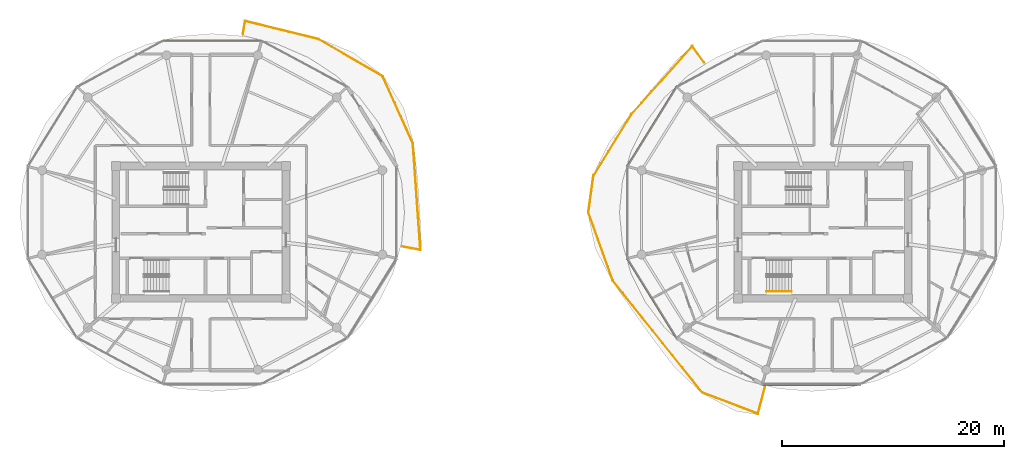
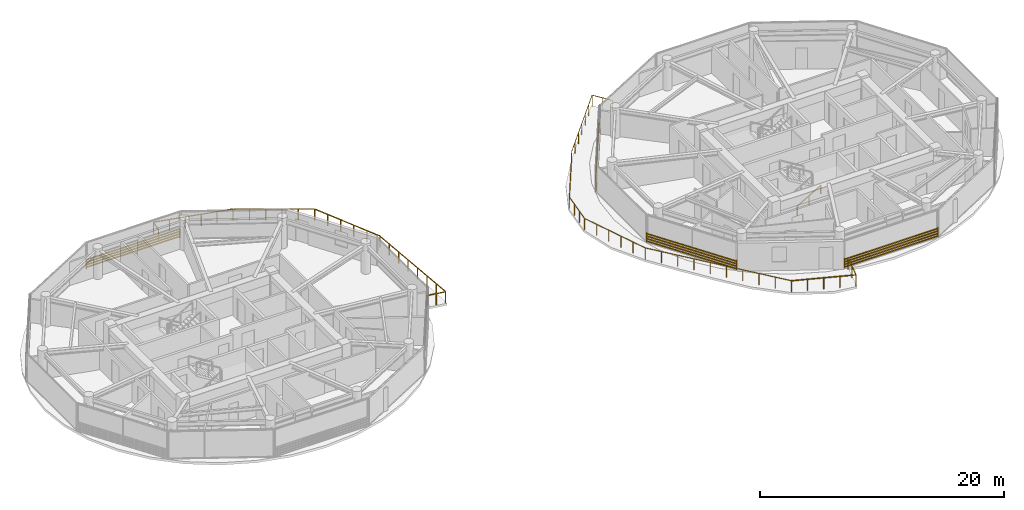
# One storey, part 21 of 22: 4 railings, 4 shading devices.
"""IFC4 building model written with IfcOpenShell, lengths in metres."""

from ifc_helpers import new_model, si_unit, direction, frame, origin, origin_2d, place, context, subcontext, project, spatial, rectangle, extrude, source, transform, mapped, material, type_object, type_shapes, element, save


model = new_model("IFC4")

# Units and contexts
model_context = context("Model", 3, precision=1e-05, world=origin(), true_north=direction((0.0, 1.0)))
body_context = subcontext(model_context, "Body", "Model", "MODEL_VIEW")
ifc_project = project(units=[si_unit("LENGTHUNIT", "METRE"), si_unit("AREAUNIT", "SQUARE_METRE"), si_unit("VOLUMEUNIT", "CUBIC_METRE"), si_unit("PLANEANGLEUNIT", "RADIAN"), si_unit("MASSUNIT", "GRAM", prefix="KILO")], contexts=[model_context])

# Site, building, storey
site_placement = place(None, origin())
site = spatial("IfcSite", under=ifc_project, at=site_placement, CompositionType="ELEMENT")
building_placement = place(site_placement, origin())
building = spatial("IfcBuilding", under=site, at=building_placement, Name="Norrkilde Senior Care Towers", CompositionType="ELEMENT")
storey_placement = place(building_placement, frame((0.0, 0.0, 137.35009765625)))
storey = spatial("IfcBuildingStorey", under=building, at=storey_placement, Name="L42", CompositionType="ELEMENT", Elevation=137.35009765625)

# Railings
ifc_material_1 = material(Name="Anodised Aluminium", Category="aluminium")
railing_type_1 = type_object("IfcRailingType", Name="Balcony Swirl Ribbon Guardrail 1150", PredefinedType="GUARDRAIL", material=ifc_material_1)
railing_1_placement = place(storey_placement, frame((17.120849609375, -14.4306640625, 0.0)))
element("IfcRailing", 1, at=railing_1_placement, inside=storey, type_object=railing_type_1, Name="L42 Perimeter Safety Guard 01", PredefinedType="GUARDRAIL", context=body_context, shape_type="SweptSolid", body=[
    extrude(rectangle(XDim=0.048095703125, YDim=0.048095703125, at=origin_2d()), frame((0.0, 0.0, 1.1259765625), z_axis=(-0.623960223116, 0.781456102394, 0.0), x_axis=(-0.781456102394, -0.623960223116, 0.0)), (0.0, 0.0, 1.0), 12.8486328125),
    extrude(rectangle(XDim=0.048095703125, YDim=0.048095703125, at=origin_2d()), frame((-8.056396484375, 10.111083984375, 1.1259765625), z_axis=(-0.338202352854, 0.94107341293, 0.0), x_axis=(-0.94107341293, -0.338202352854, 0.0)), (0.0, 0.0, 1.0), 6.43896484375),
    extrude(rectangle(XDim=0.048095703125, YDim=0.048095703125, at=origin_2d()), frame((-10.2421875, 16.24951171875, 1.1259765625), z_axis=(0.137278884746, 0.990532436522, 0.0), x_axis=(-0.990532436522, 0.137278884746, 0.0)), (0.0, 0.0, 1.0), 3.227783203125),
    extrude(rectangle(XDim=0.048095703125, YDim=0.048095703125, at=origin_2d()), frame((-9.77197265625, 19.522216796875, 1.1259765625), z_axis=(0.524669241628, 0.851306165189, 0.0), x_axis=(-0.851306165189, 0.524669241628, 0.0)), (0.0, 0.0, 1.0), 6.420166015625),
    extrude(rectangle(XDim=0.048095703125, YDim=0.048095703125, at=origin_2d()), frame((-6.354736328125, 25.052978515625, 1.1259765625), z_axis=(0.666155173179, 0.74581317047, 0.0), x_axis=(-0.74581317047, 0.666155173179, 0.0)), (0.0, 0.0, 1.0), 8.165771484375),
    extrude(rectangle(XDim=0.048095703125, YDim=0.048095703125, at=origin_2d()), frame((-0.8642578125, 31.140380859375, 1.1259765625), z_axis=(0.579525763973, -0.814953918262, 0.0), x_axis=(0.814953918262, 0.579525763973, 0.0)), (0.0, 0.0, 1.0), 1.78125),
    extrude(rectangle(XDim=0.0419921875, YDim=0.0419921875, at=origin_2d()), origin(), (0.0, 0.0, 1.0), 1.099853515625),
    extrude(rectangle(XDim=0.0419921875, YDim=0.0419921875, at=origin_2d()), frame((-0.8935546875, 1.119140625, 0.0)), (0.0, 0.0, 1.0), 1.099853515625),
    extrude(rectangle(XDim=0.0419921875, YDim=0.0419921875, at=origin_2d()), frame((-1.787109375, 2.23828125, 0.0)), (0.0, 0.0, 1.0), 1.099853515625),
    extrude(rectangle(XDim=0.0419921875, YDim=0.0419921875, at=origin_2d()), frame((-2.680908203125, 3.357421875, 0.0)), (0.0, 0.0, 1.0), 1.099853515625),
    extrude(rectangle(XDim=0.0419921875, YDim=0.0419921875, at=origin_2d()), frame((-3.574462890625, 4.4765625, 0.0)), (0.0, 0.0, 1.0), 1.099853515625),
    extrude(rectangle(XDim=0.0419921875, YDim=0.0419921875, at=origin_2d()), frame((-4.468017578125, 5.595947265625, 0.0)), (0.0, 0.0, 1.0), 1.099853515625),
    extrude(rectangle(XDim=0.0419921875, YDim=0.0419921875, at=origin_2d()), frame((-5.361572265625, 6.715087890625, 0.0)), (0.0, 0.0, 1.0), 1.099853515625),
    extrude(rectangle(XDim=0.0419921875, YDim=0.0419921875, at=origin_2d()), frame((-6.25537109375, 7.834228515625, 0.0)), (0.0, 0.0, 1.0), 1.099853515625),
    extrude(rectangle(XDim=0.0419921875, YDim=0.0419921875, at=origin_2d()), frame((-7.14892578125, 8.953369140625, 0.0)), (0.0, 0.0, 1.0), 1.099853515625),
    extrude(rectangle(XDim=0.0419921875, YDim=0.0419921875, at=origin_2d()), frame((-8.04248046875, 10.072509765625, 0.0)), (0.0, 0.0, 1.0), 1.099853515625),
    extrude(rectangle(XDim=0.0419921875, YDim=0.0419921875, at=origin_2d()), frame((-8.483642578125, 11.2998046875, 0.0)), (0.0, 0.0, 1.0), 1.099853515625),
    extrude(rectangle(XDim=0.0419921875, YDim=0.0419921875, at=origin_2d()), frame((-8.924560546875, 12.527099609375, 0.0)), (0.0, 0.0, 1.0), 1.099853515625),
    extrude(rectangle(XDim=0.0419921875, YDim=0.0419921875, at=origin_2d()), frame((-9.36572265625, 13.75439453125, 0.0)), (0.0, 0.0, 1.0), 1.099853515625),
    extrude(rectangle(XDim=0.0419921875, YDim=0.0419921875, at=origin_2d()), frame((-9.806640625, 14.981689453125, 0.0)), (0.0, 0.0, 1.0), 1.099853515625),
    extrude(rectangle(XDim=0.0419921875, YDim=0.0419921875, at=origin_2d()), frame((-10.247802734375, 16.208984375, 0.0)), (0.0, 0.0, 1.0), 1.099853515625),
    extrude(rectangle(XDim=0.0419921875, YDim=0.0419921875, at=origin_2d()), frame((-10.096435546875, 17.3017578125, 0.0)), (0.0, 0.0, 1.0), 1.099853515625),
    extrude(rectangle(XDim=0.0419921875, YDim=0.0419921875, at=origin_2d()), frame((-9.94482421875, 18.39453125, 0.0)), (0.0, 0.0, 1.0), 1.099853515625),
    extrude(rectangle(XDim=0.0419921875, YDim=0.0419921875, at=origin_2d()), frame((-9.79345703125, 19.4873046875, 0.0)), (0.0, 0.0, 1.0), 1.099853515625),
    extrude(rectangle(XDim=0.0419921875, YDim=0.0419921875, at=origin_2d()), frame((-9.111083984375, 20.59423828125, 0.0)), (0.0, 0.0, 1.0), 1.099853515625),
    extrude(rectangle(XDim=0.0419921875, YDim=0.0419921875, at=origin_2d()), frame((-8.428955078125, 21.701416015625, 0.0)), (0.0, 0.0, 1.0), 1.099853515625),
    extrude(rectangle(XDim=0.0419921875, YDim=0.0419921875, at=origin_2d()), frame((-7.74658203125, 22.808349609375, 0.0)), (0.0, 0.0, 1.0), 1.099853515625),
    extrude(rectangle(XDim=0.0419921875, YDim=0.0419921875, at=origin_2d()), frame((-7.064453125, 23.91552734375, 0.0)), (0.0, 0.0, 1.0), 1.099853515625),
    extrude(rectangle(XDim=0.0419921875, YDim=0.0419921875, at=origin_2d()), frame((-6.382080078125, 25.0224609375, 0.0)), (0.0, 0.0, 1.0), 1.099853515625),
    extrude(rectangle(XDim=0.0419921875, YDim=0.0419921875, at=origin_2d()), frame((-5.46630859375, 26.047607421875, 0.0)), (0.0, 0.0, 1.0), 1.099853515625),
    extrude(rectangle(XDim=0.0419921875, YDim=0.0419921875, at=origin_2d()), frame((-4.55078125, 27.07275390625, 0.0)), (0.0, 0.0, 1.0), 1.099853515625),
    extrude(rectangle(XDim=0.0419921875, YDim=0.0419921875, at=origin_2d()), frame((-3.635009765625, 28.09814453125, 0.0)), (0.0, 0.0, 1.0), 1.099853515625),
    extrude(rectangle(XDim=0.0419921875, YDim=0.0419921875, at=origin_2d()), frame((-2.71923828125, 29.123291015625, 0.0)), (0.0, 0.0, 1.0), 1.099853515625),
    extrude(rectangle(XDim=0.0419921875, YDim=0.0419921875, at=origin_2d()), frame((-1.8037109375, 30.1484375, 0.0)), (0.0, 0.0, 1.0), 1.099853515625),
    extrude(rectangle(XDim=0.0419921875, YDim=0.0419921875, at=origin_2d()), frame((-0.887939453125, 31.173583984375, 0.0)), (0.0, 0.0, 1.0), 1.099853515625),
    extrude(rectangle(XDim=0.0419921875, YDim=0.0419921875, at=origin_2d()), frame((-0.35986328125, 30.43115234375, 0.0)), (0.0, 0.0, 1.0), 1.099853515625),
    extrude(rectangle(XDim=0.0419921875, YDim=0.0419921875, at=origin_2d()), frame((0.16796875, 29.688720703125, 0.0)), (0.0, 0.0, 1.0), 1.099853515625),
])
railing_2_placement = place(storey_placement, frame((22.75537109375, -13.96240234375, 0.0)))
element("IfcRailing", 2, at=railing_2_placement, inside=storey, type_object=railing_type_1, Name="L42 Perimeter Safety Guard 02", PredefinedType="GUARDRAIL", context=body_context, shape_type="SweptSolid", body=[
    extrude(rectangle(XDim=0.048095703125, YDim=0.048095703125, at=origin_2d()), frame((0.0, 0.0, 1.1259765625), z_axis=(-0.254273284135, -0.967132409226, 0.0), x_axis=(0.967132409226, -0.254273284135, 0.0)), (0.0, 0.0, 1.0), 2.4169921875),
    extrude(rectangle(XDim=0.048095703125, YDim=0.048095703125, at=origin_2d()), frame((-0.6630859375, -2.362548828125, 1.1259765625), z_axis=(-0.934453823007, 0.356084333646, 0.0), x_axis=(-0.356084333646, -0.934453823007, 0.0)), (0.0, 0.0, 1.0), 5.320068359375),
    extrude(rectangle(XDim=0.0419921875, YDim=0.0419921875, at=origin_2d()), origin(), (0.0, 0.0, 1.0), 1.099853515625),
    extrude(rectangle(XDim=0.0419921875, YDim=0.0419921875, at=origin_2d()), frame((-0.3125, -1.1884765625, 0.0)), (0.0, 0.0, 1.0), 1.099853515625),
    extrude(rectangle(XDim=0.0419921875, YDim=0.0419921875, at=origin_2d()), frame((-0.625, -2.377197265625, 0.0)), (0.0, 0.0, 1.0), 1.099853515625),
    extrude(rectangle(XDim=0.0419921875, YDim=0.0419921875, at=origin_2d()), frame((-1.87744140625, -1.89990234375, 0.0)), (0.0, 0.0, 1.0), 1.099853515625),
    extrude(rectangle(XDim=0.0419921875, YDim=0.0419921875, at=origin_2d()), frame((-3.1298828125, -1.4228515625, 0.0)), (0.0, 0.0, 1.0), 1.099853515625),
    extrude(rectangle(XDim=0.0419921875, YDim=0.0419921875, at=origin_2d()), frame((-4.382080078125, -0.945556640625, 0.0)), (0.0, 0.0, 1.0), 1.099853515625),
    extrude(rectangle(XDim=0.0419921875, YDim=0.0419921875, at=origin_2d()), frame((-5.634521484375, -0.46826171875, 0.0)), (0.0, 0.0, 1.0), 1.099853515625),
])
railing_3_placement = place(storey_placement, frame((-24.212890625, 17.8310546875, 0.0)))
element("IfcRailing", 3, at=railing_3_placement, inside=storey, type_object=railing_type_1, Name="L42 Perimeter Safety Guard 03", PredefinedType="GUARDRAIL", context=body_context, shape_type="SweptSolid", body=[
    extrude(rectangle(XDim=0.048095703125, YDim=0.048095703125, at=origin_2d()), frame((0.0, 0.0, 1.1259765625), z_axis=(0.164666341968, 0.986349327481, 0.0), x_axis=(-0.986349327481, 0.164666341968, 0.0)), (0.0, 0.0, 1.0), 1.143798828125),
    extrude(rectangle(XDim=0.048095703125, YDim=0.048095703125, at=origin_2d()), frame((0.23486328125, 1.15869140625, 1.1259765625), z_axis=(0.970902772459, -0.23947402037, 0.0), x_axis=(0.23947402037, 0.970902772459, 0.0)), (0.0, 0.0, 1.0), 6.713134765625),
    extrude(rectangle(XDim=0.048095703125, YDim=0.048095703125, at=origin_2d()), frame((6.82763671875, -0.479248046875, 1.1259765625), z_axis=(0.864909958727, -0.501927049774, 0.0), x_axis=(0.501927049774, 0.864909958727, 0.0)), (0.0, 0.0, 1.0), 6.614501953125),
    extrude(rectangle(XDim=0.048095703125, YDim=0.048095703125, at=origin_2d()), frame((12.600830078125, -3.857177734375, 1.1259765625), z_axis=(0.411114390221, -0.911583763652, 0.0), x_axis=(0.911583763652, 0.411114390221, 0.0)), (0.0, 0.0, 1.0), 6.51123046875),
    extrude(rectangle(XDim=0.048095703125, YDim=0.048095703125, at=origin_2d()), frame((15.29736328125, -9.87060546875, 1.1259765625), z_axis=(0.071055951173, -0.997472331347, 0.0), x_axis=(0.997472331347, 0.071055951173, 0.0)), (0.0, 0.0, 1.0), 9.542236328125),
    extrude(rectangle(XDim=0.048095703125, YDim=0.048095703125, at=origin_2d()), frame((15.93798828125, -19.422119140625, 1.1259765625), z_axis=(-0.983434156163, 0.181265717917, 0.0), x_axis=(-0.181265717917, -0.983434156163, 0.0)), (0.0, 0.0, 1.0), 1.58349609375),
    extrude(rectangle(XDim=0.0419921875, YDim=0.0419921875, at=origin_2d()), origin(), (0.0, 0.0, 1.0), 1.099853515625),
    extrude(rectangle(XDim=0.0419921875, YDim=0.0419921875, at=origin_2d()), frame((0.195068359375, 1.16845703125, 0.0)), (0.0, 0.0, 1.0), 1.099853515625),
    extrude(rectangle(XDim=0.0419921875, YDim=0.0419921875, at=origin_2d()), frame((1.514404296875, 0.843017578125, 0.0)), (0.0, 0.0, 1.0), 1.099853515625),
    extrude(rectangle(XDim=0.0419921875, YDim=0.0419921875, at=origin_2d()), frame((2.833984375, 0.517578125, 0.0)), (0.0, 0.0, 1.0), 1.099853515625),
    extrude(rectangle(XDim=0.0419921875, YDim=0.0419921875, at=origin_2d()), frame((4.1533203125, 0.192138671875, 0.0)), (0.0, 0.0, 1.0), 1.099853515625),
    extrude(rectangle(XDim=0.0419921875, YDim=0.0419921875, at=origin_2d()), frame((5.472900390625, -0.13330078125, 0.0)), (0.0, 0.0, 1.0), 1.099853515625),
    extrude(rectangle(XDim=0.0419921875, YDim=0.0419921875, at=origin_2d()), frame((6.792236328125, -0.458740234375, 0.0)), (0.0, 0.0, 1.0), 1.099853515625),
    extrude(rectangle(XDim=0.0419921875, YDim=0.0419921875, at=origin_2d()), frame((7.95068359375, -1.130859375, 0.0)), (0.0, 0.0, 1.0), 1.099853515625),
    extrude(rectangle(XDim=0.0419921875, YDim=0.0419921875, at=origin_2d()), frame((9.10888671875, -1.80322265625, 0.0)), (0.0, 0.0, 1.0), 1.099853515625),
    extrude(rectangle(XDim=0.0419921875, YDim=0.0419921875, at=origin_2d()), frame((10.267333984375, -2.475341796875, 0.0)), (0.0, 0.0, 1.0), 1.099853515625),
    extrude(rectangle(XDim=0.0419921875, YDim=0.0419921875, at=origin_2d()), frame((11.425537109375, -3.147705078125, 0.0)), (0.0, 0.0, 1.0), 1.099853515625),
    extrude(rectangle(XDim=0.0419921875, YDim=0.0419921875, at=origin_2d()), frame((12.583984375, -3.81982421875, 0.0)), (0.0, 0.0, 1.0), 1.099853515625),
    extrude(rectangle(XDim=0.0419921875, YDim=0.0419921875, at=origin_2d()), frame((13.1259765625, -5.021728515625, 0.0)), (0.0, 0.0, 1.0), 1.099853515625),
    extrude(rectangle(XDim=0.0419921875, YDim=0.0419921875, at=origin_2d()), frame((13.668212890625, -6.223876953125, 0.0)), (0.0, 0.0, 1.0), 1.099853515625),
    extrude(rectangle(XDim=0.0419921875, YDim=0.0419921875, at=origin_2d()), frame((14.210205078125, -7.42578125, 0.0)), (0.0, 0.0, 1.0), 1.099853515625),
    extrude(rectangle(XDim=0.0419921875, YDim=0.0419921875, at=origin_2d()), frame((14.75244140625, -8.6279296875, 0.0)), (0.0, 0.0, 1.0), 1.099853515625),
    extrude(rectangle(XDim=0.0419921875, YDim=0.0419921875, at=origin_2d()), frame((15.29443359375, -9.829833984375, 0.0)), (0.0, 0.0, 1.0), 1.099853515625),
    extrude(rectangle(XDim=0.0419921875, YDim=0.0419921875, at=origin_2d()), frame((15.39208984375, -11.201171875, 0.0)), (0.0, 0.0, 1.0), 1.099853515625),
    extrude(rectangle(XDim=0.0419921875, YDim=0.0419921875, at=origin_2d()), frame((15.48974609375, -12.572509765625, 0.0)), (0.0, 0.0, 1.0), 1.099853515625),
    extrude(rectangle(XDim=0.0419921875, YDim=0.0419921875, at=origin_2d()), frame((15.58740234375, -13.94384765625, 0.0)), (0.0, 0.0, 1.0), 1.099853515625),
    extrude(rectangle(XDim=0.0419921875, YDim=0.0419921875, at=origin_2d()), frame((15.685302734375, -15.3154296875, 0.0)), (0.0, 0.0, 1.0), 1.099853515625),
    extrude(rectangle(XDim=0.0419921875, YDim=0.0419921875, at=origin_2d()), frame((15.782958984375, -16.686767578125, 0.0)), (0.0, 0.0, 1.0), 1.099853515625),
    extrude(rectangle(XDim=0.0419921875, YDim=0.0419921875, at=origin_2d()), frame((15.880615234375, -18.05810546875, 0.0)), (0.0, 0.0, 1.0), 1.099853515625),
    extrude(rectangle(XDim=0.0419921875, YDim=0.0419921875, at=origin_2d()), frame((15.978271484375, -19.429443359375, 0.0)), (0.0, 0.0, 1.0), 1.099853515625),
    extrude(rectangle(XDim=0.0419921875, YDim=0.0419921875, at=origin_2d()), frame((15.1796875, -19.2822265625, 0.0)), (0.0, 0.0, 1.0), 1.099853515625),
    extrude(rectangle(XDim=0.0419921875, YDim=0.0419921875, at=origin_2d()), frame((14.380859375, -19.135009765625, 0.0)), (0.0, 0.0, 1.0), 1.099853515625),
])
ifc_material_2 = material(Name="Nordic Ash Timber", Category="wood")
railing_type_2 = type_object("IfcRailingType", Name="Wall and Stair Handrail 900", PredefinedType="HANDRAIL", material=ifc_material_2)
railing_4_placement = place(storey_placement, frame((22.89990234375, -5.35009765625, 0.16943359375)))
element("IfcRailing", 4, at=railing_4_placement, inside=storey, type_object=railing_type_2, Name="L42 ST-E2 stair handrail 1", PredefinedType="HANDRAIL", context=body_context, shape_type="SweptSolid", body=[
    extrude(rectangle(XDim=0.048095703125, YDim=0.048095703125, at=origin_2d()), frame((0.0, 0.0, 0.8759765625), z_axis=(0.855553338991, 0.0, 0.51771467445), x_axis=(0.0, 1.0, 0.0)), (0.0, 0.0, 1.0), 2.6181640625),
    extrude(rectangle(XDim=0.0419921875, YDim=0.0419921875, at=origin_2d()), origin(), (0.0, 0.0, 1.0), 0.849853515625),
    extrude(rectangle(XDim=0.0419921875, YDim=0.0419921875, at=origin_2d()), frame((1.1201171875, 0.0, 0.677734375)), (0.0, 0.0, 1.0), 0.849853515625),
    extrude(rectangle(XDim=0.0419921875, YDim=0.0419921875, at=origin_2d()), frame((2.239990234375, 0.0, 1.35546875)), (0.0, 0.0, 1.0), 0.849853515625),
])

# Shading devices
ifc_material_3 = material(Name="Architectural Terracotta", Category="masonry")
shading_device_type = type_object("IfcShadingDeviceType", Name="Horizontal Terracotta Baguette Rack", PredefinedType="USERDEFINED", material=ifc_material_3)
shared_shape_1 = source(origin(), body_context, "Body", "SweptSolid", [
    extrude(rectangle(XDim=0.070068359375, YDim=0.110107421875, at=origin_2d()), frame((0.0, 0.090087890625, 0.125), z_axis=(1.0, 0.0, 0.0), x_axis=(0.0, 1.0, 0.0)), (0.0, 0.0, 1.0), 8.89306640625),
    extrude(rectangle(XDim=0.070068359375, YDim=0.110107421875, at=origin_2d()), frame((0.0, 0.090087890625, 0.375), z_axis=(1.0, 0.0, 0.0), x_axis=(0.0, 1.0, 0.0)), (0.0, 0.0, 1.0), 8.89306640625),
    extrude(rectangle(XDim=0.070068359375, YDim=0.110107421875, at=origin_2d()), frame((0.0, 0.090087890625, 0.625), z_axis=(1.0, 0.0, 0.0), x_axis=(0.0, 1.0, 0.0)), (0.0, 0.0, 1.0), 8.89306640625),
    extrude(rectangle(XDim=0.070068359375, YDim=0.110107421875, at=origin_2d()), frame((0.0, 0.090087890625, 0.875), z_axis=(1.0, 0.0, 0.0), x_axis=(0.0, 1.0, 0.0)), (0.0, 0.0, 1.0), 8.89306640625),
    extrude(rectangle(XDim=0.050048828125, YDim=0.1552734375, at=origin_2d()), frame((0.02490234375, 0.047607421875, 0.0)), (0.0, 0.0, 1.0), 1.0),
    extrude(rectangle(XDim=0.050048828125, YDim=0.1552734375, at=origin_2d()), frame((8.8681640625, 0.047607421875, 0.0)), (0.0, 0.0, 1.0), 1.0),
])
for number, where, z_axis, x_axis, name in (
    (5, (-31.421630859375, 17.2109375, 0.079833984375), (0.0, 0.0, 1.0), (1.0, 0.0, 0.0), "L42 Drum W Terracotta Baguette Screen 02"),
    (6, (31.421630859375, -13.66015625, 0.079833984375), (0.0, 0.0, 1.0), (-1.0, 0.0, 0.0), "L42 Drum E Terracotta Baguette Screen 08"),
):
    element("IfcShadingDevice", number, at=place(storey_placement, frame(where, z_axis=z_axis, x_axis=x_axis)), inside=storey, type_object=shading_device_type, Name=name, ObjectType="BAGUETTE", PredefinedType="USERDEFINED", context=body_context, shape_type="MappedRepresentation", body=[
        mapped(shared_shape_1, transform((0.0, 0.0, 0.0), x_axis=(1.0, 0.0, 0.0), y_axis=(0.0, 1.0, 0.0), z_axis=(0.0, 0.0, 1.0), scale=1.0)),
    ])
shared_shape_2 = source(origin(), body_context, "Body", "SweptSolid", [
    extrude(rectangle(XDim=0.070068359375, YDim=0.110107421875, at=origin_2d()), frame((0.0, 0.090087890625, 0.125), z_axis=(1.0, 0.0, 0.0), x_axis=(0.0, 1.0, 0.0)), (0.0, 0.0, 1.0), 8.431396484375),
    extrude(rectangle(XDim=0.070068359375, YDim=0.110107421875, at=origin_2d()), frame((0.0, 0.090087890625, 0.375), z_axis=(1.0, 0.0, 0.0), x_axis=(0.0, 1.0, 0.0)), (0.0, 0.0, 1.0), 8.431396484375),
    extrude(rectangle(XDim=0.070068359375, YDim=0.110107421875, at=origin_2d()), frame((0.0, 0.090087890625, 0.625), z_axis=(1.0, 0.0, 0.0), x_axis=(0.0, 1.0, 0.0)), (0.0, 0.0, 1.0), 8.431396484375),
    extrude(rectangle(XDim=0.070068359375, YDim=0.110107421875, at=origin_2d()), frame((0.0, 0.090087890625, 0.875), z_axis=(1.0, 0.0, 0.0), x_axis=(0.0, 1.0, 0.0)), (0.0, 0.0, 1.0), 8.431396484375),
    extrude(rectangle(XDim=0.050048828125, YDim=0.1552734375, at=origin_2d()), frame((0.02490234375, 0.047607421875, 0.0)), (0.0, 0.0, 1.0), 1.0),
    extrude(rectangle(XDim=0.050048828125, YDim=0.1552734375, at=origin_2d()), frame((8.40625, 0.047607421875, 0.0)), (0.0, 0.0, 1.0), 1.0),
])
type_shapes(shading_device_type, [shared_shape_1, shared_shape_2])
for number, where, z_axis, x_axis, name in (
    (7, (10.38037109375, 5.911376953125, 0.079833984375), (0.0, 0.0, 1.0), (0.527378022296, 0.849630809324, 0.0), "L42 Drum E Terracotta Baguette Screen 04"),
    (8, (14.826904296875, -9.524169921875, 0.079833984375), (0.0, 0.0, 1.0), (-0.527378022296, 0.849630809324, 0.0), "L42 Drum E Terracotta Baguette Screen 06"),
):
    element("IfcShadingDevice", number, at=place(storey_placement, frame(where, z_axis=z_axis, x_axis=x_axis)), inside=storey, type_object=shading_device_type, Name=name, ObjectType="BAGUETTE", PredefinedType="USERDEFINED", context=body_context, shape_type="MappedRepresentation", body=[
        mapped(shared_shape_2, transform((0.0, 0.0, 0.0), x_axis=(1.0, 0.0, 0.0), y_axis=(0.0, 1.0, 0.0), z_axis=(0.0, 0.0, 1.0), scale=1.0)),
    ])

save(model, "model.ifc")
